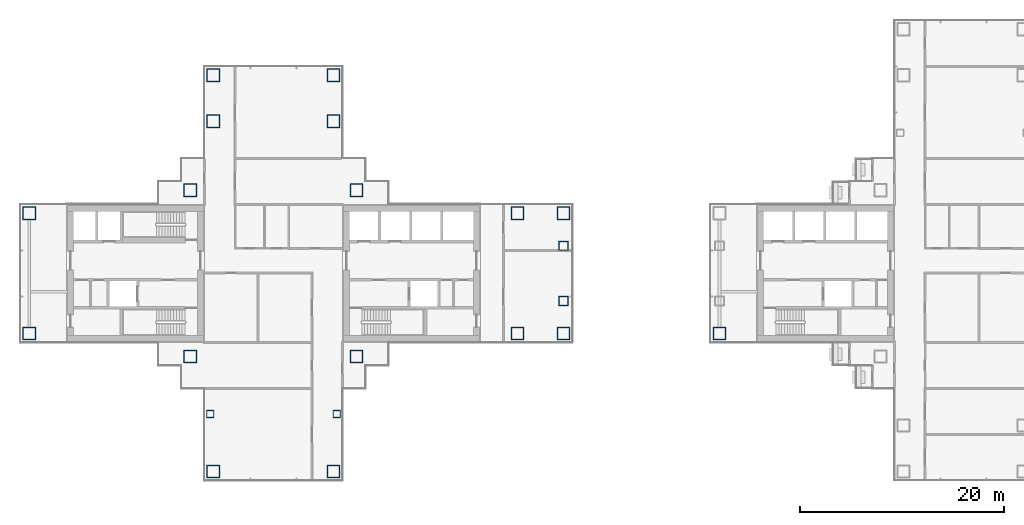
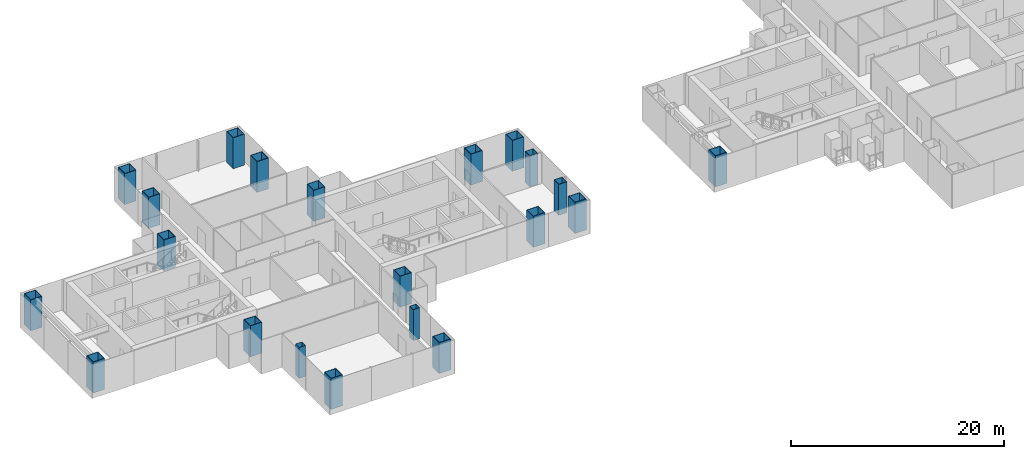
# One storey, part 1 of 20: 21 columns.
"""IFC4 building model written with IfcOpenShell, lengths in metres."""

from ifc_helpers import new_model, si_unit, direction, frame, origin, origin_2d, place, context, subcontext, project, spatial, hollow_rectangle, extrude, material, material_profile, profile_set, type_object, element, save


model = new_model("IFC4")

# Units and contexts
model_context = context("Model", 3, precision=1e-05, world=origin(), true_north=direction((0.0, 1.0)))
body_context = subcontext(model_context, "Body", "Model", "MODEL_VIEW")
ifc_project = project(units=[si_unit("LENGTHUNIT", "METRE"), si_unit("AREAUNIT", "SQUARE_METRE"), si_unit("VOLUMEUNIT", "CUBIC_METRE"), si_unit("PLANEANGLEUNIT", "RADIAN"), si_unit("MASSUNIT", "GRAM", prefix="KILO")], contexts=[model_context])

# Site, building, storey
site_placement = place(None, origin())
site = spatial("IfcSite", under=ifc_project, at=site_placement, CompositionType="ELEMENT")
building_placement = place(site_placement, origin())
building = spatial("IfcBuilding", under=site, at=building_placement, Name="Shamsa Quay Exchange Towers", CompositionType="ELEMENT")
storey_placement = place(building_placement, frame((0.0, 0.0, 109.199951171875)))
storey = spatial("IfcBuildingStorey", under=building, at=storey_placement, Name="L25", CompositionType="ELEMENT", Elevation=109.199951171875)

# Columns
ifc_material_1 = material(Name="Concrete-filled steel tube S355 / C80/95", Category="concrete")
ifc_material_profile_1 = material_profile(ifc_material_1, hollow_rectangle(XDim=1.25, YDim=1.25, WallThickness=0.050048828125, at=origin_2d()), Name="CFT 1250x1250x50")
ifc_profile_set_1 = profile_set([ifc_material_profile_1], Name="Concrete-filled steel tube S355 / C80/95")
column_type_1 = type_object("IfcColumnType", Name="Column CFT 1250x1250x50", PredefinedType="COLUMN", material=ifc_profile_set_1)
for number, where, name in (
    (1, (-25.625, 8.125, 0.0), "Mega column T1-CM01"),
    (2, (-25.625, -8.125, 0.0), "Mega column T1-CM02"),
    (3, (-41.875, 8.125, 0.0), "Mega column T1-CM03"),
    (4, (-41.875, -8.125, 0.0), "Mega column T1-CM04"),
    (5, (-9.875, -5.875, 0.0), "Mega column T1-CM05"),
    (6, (-5.375, -5.875, 0.0), "Mega column T1-CM06"),
    (7, (-9.875, 5.875, 0.0), "Mega column T1-CM07"),
    (8, (-5.375, 5.875, 0.0), "Mega column T1-CM08"),
    (9, (-57.625, -5.875, 0.0), "Mega column T1-CM09"),
    (10, (-57.625, 5.875, 0.0), "Mega column T1-CM11"),
    (11, (-39.625, 14.875, 0.0), "Mega column T1-CM13"),
    (12, (-39.625, 19.375, 0.0), "Mega column T1-CM14"),
    (13, (-27.875, 14.875, 0.0), "Mega column T1-CM16"),
    (14, (-27.875, 19.375, 0.0), "Mega column T1-CM17"),
    (15, (-39.625, -19.375, 0.0), "Mega column T1-CM20"),
    (16, (-27.875, -19.375, 0.0), "Mega column T1-CM23"),
    (17, (9.875, -5.875, 0.0), "Mega column T2-CM19"),
):
    element("IfcColumn", number, at=place(storey_placement, frame(where)), inside=storey, type_object=column_type_1, Name=name, PredefinedType="COLUMN", context=body_context, shape_type="SweptSolid", body=[
        extrude(hollow_rectangle(XDim=1.25, YDim=1.25, WallThickness=0.050048828125, at=origin_2d()), origin(), (0.0, 0.0, 1.0), 3.550048828125),
    ])
ifc_material_2 = material(Name="Concrete-filled steel tube S355 / C60/75", Category="concrete")
ifc_material_profile_2 = material_profile(ifc_material_2, hollow_rectangle(XDim=0.699951171875, YDim=0.699951171875, WallThickness=0.02490234375, at=origin_2d()), Name="CFT 700x700x25")
ifc_profile_set_2 = profile_set([ifc_material_profile_2], Name="Concrete-filled steel tube S355 / C60/75")
column_type_2 = type_object("IfcColumnType", Name="Column CFT 700x700x25", PredefinedType="COLUMN", material=ifc_profile_set_2)
for number, where, name in (
    (18, (-39.9375, -13.75, 0.0), "Perimeter column T1-CP19"),
    (19, (-27.5625, -13.75, 0.0), "Perimeter column T1-CP22"),
):
    element("IfcColumn", number, at=place(storey_placement, frame(where)), inside=storey, type_object=column_type_2, Name=name, PredefinedType="COLUMN", context=body_context, shape_type="SweptSolid", body=[
        extrude(hollow_rectangle(XDim=0.699951171875, YDim=0.699951171875, WallThickness=0.02490234375, at=origin_2d()), origin(), (0.0, 0.0, 1.0), 3.550048828125),
    ])
ifc_material_3 = material(Name="Concrete-filled steel tube S355 / C70/85", Category="concrete")
ifc_material_profile_3 = material_profile(ifc_material_3, hollow_rectangle(XDim=0.89990234375, YDim=0.89990234375, WallThickness=0.035888671875, at=origin_2d()), Name="CFT 900x900x36")
ifc_profile_set_3 = profile_set([ifc_material_profile_3], Name="Concrete-filled steel tube S355 / C70/85")
column_type_3 = type_object("IfcColumnType", Name="Landing column CFT 900x900x36", PredefinedType="COLUMN", material=ifc_profile_set_3)
for number, where, name in (
    (20, (-5.375, -2.699951171875, 0.0), "Landing column T1 S"),
    (21, (-5.375, 2.699951171875, 0.0), "Landing column T1 N"),
):
    element("IfcColumn", number, at=place(storey_placement, frame(where)), inside=storey, type_object=column_type_3, Name=name, PredefinedType="COLUMN", context=body_context, shape_type="SweptSolid", body=[
        extrude(hollow_rectangle(XDim=0.89990234375, YDim=0.89990234375, WallThickness=0.035888671875, at=origin_2d()), origin(), (0.0, 0.0, 1.0), 3.550048828125),
    ])

save(model, "model.ifc")
